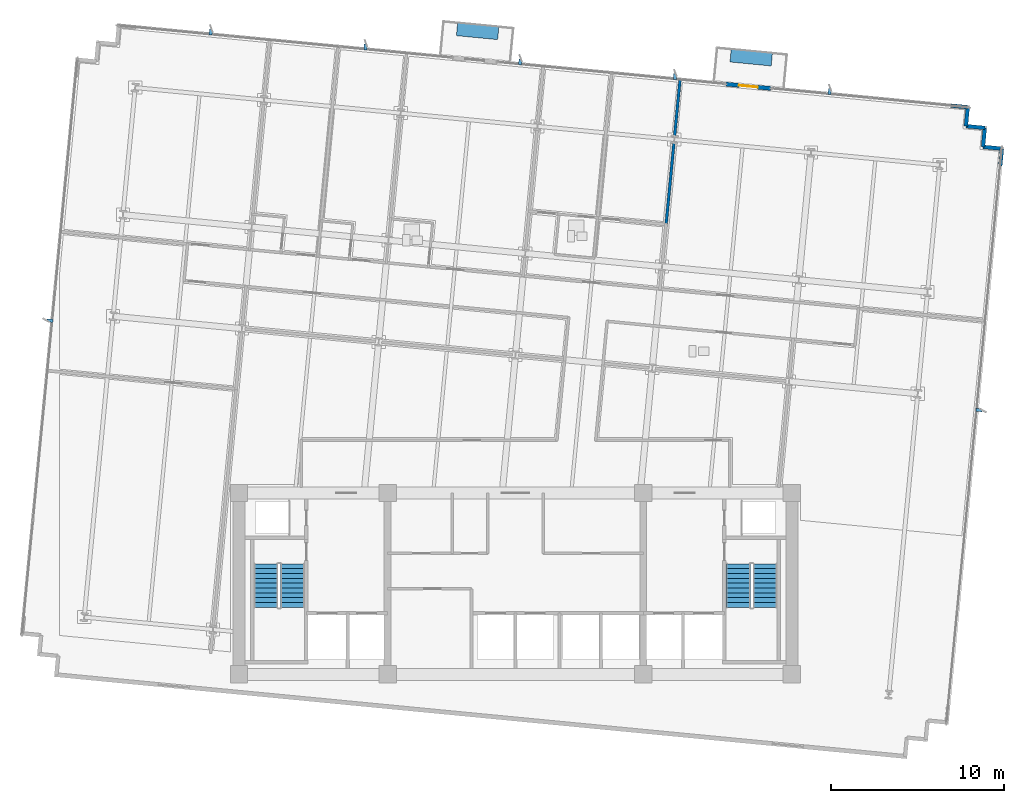
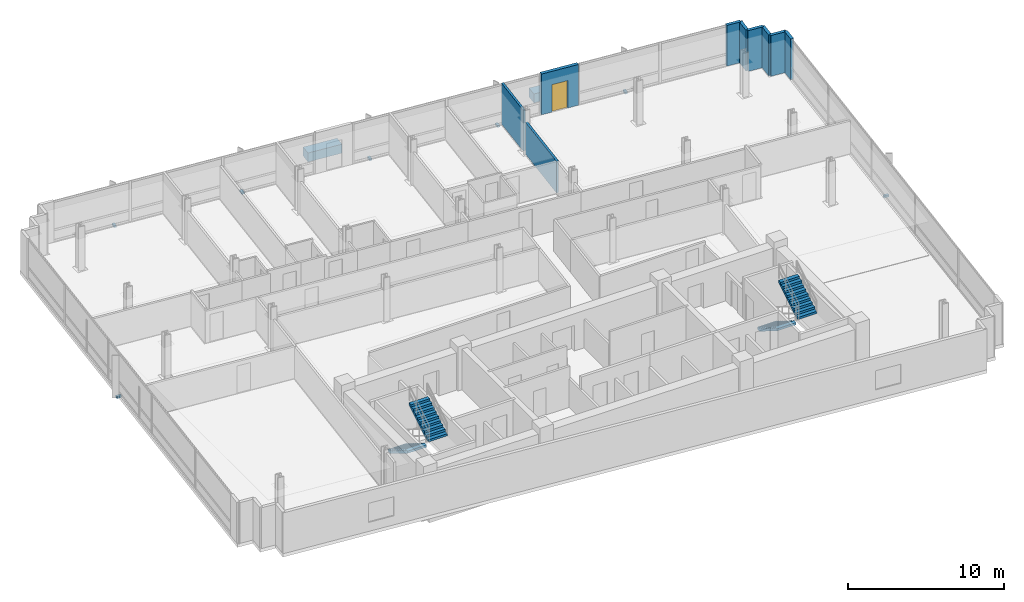
# One storey, part 13 of 17: 9 discrete accessories, 9 walls, 4 stair flights, 1 door, 1 opening, 2 elements without a shape of their own.
"""IFC4 building model written with IfcOpenShell, lengths in metres."""

from ifc_helpers import new_model, si_unit, direction, frame, frame_2d, origin, origin_2d, place, context, subcontext, project, spatial, polyline, rectangle, outline, extrude, material, layer, layer_set, type_object, element, fill, aggregate, save


model = new_model("IFC4")

# Units and contexts
model_context = context("Model", 3, precision=1e-05, world=origin(), true_north=direction((0.0, 1.0)))
body_context = subcontext(model_context, "Body", "Model", "MODEL_VIEW")
ifc_project = project(units=[si_unit("LENGTHUNIT", "METRE"), si_unit("AREAUNIT", "SQUARE_METRE"), si_unit("VOLUMEUNIT", "CUBIC_METRE"), si_unit("PLANEANGLEUNIT", "RADIAN"), si_unit("MASSUNIT", "GRAM", prefix="KILO")], contexts=[model_context])

# Site, building, storey
site_placement = place(None, origin())
site = spatial("IfcSite", under=ifc_project, at=site_placement, CompositionType="ELEMENT")
building_placement = place(site_placement, origin())
building = spatial("IfcBuilding", under=site, at=building_placement, Name="Solmavex Isthmus Hotel", CompositionType="ELEMENT")
storey_placement = place(building_placement, frame((0.0, 0.0, 153.14990234375)))
storey = spatial("IfcBuildingStorey", under=building, at=storey_placement, Name="L41", CompositionType="ELEMENT", Elevation=153.14990234375)

# Wall, opening, door
ifc_material_1 = material(Name="Precast Concrete C40/50", Category="concrete")
ifc_layer_1 = layer(ifc_material_1, 0.25)
ifc_layer_set_1 = layer_set([ifc_layer_1], Name="Precast Concrete C40/50")
wall_type_1 = type_object("IfcWallType", Name="EW-TWR-250", PredefinedType="STANDARD", material=ifc_layer_set_1)
wall_1_placement = place(storey_placement, frame((12.194580078125, 21.173828125, 0.0), z_axis=(0.0, 0.0, 1.0), x_axis=(0.995394049959, -0.095868061976, 0.0)))
wall_1 = element("IfcWall", 1, at=wall_1_placement, inside=storey, type_object=wall_type_1, Name="Exterior Balcony Door Wall L41-3", PredefinedType="STANDARD", context=body_context, shape_type="SweptSolid", body=[
    extrude(rectangle(XDim=2.60009765625, YDim=0.239990234375, at=frame_2d((1.300048828125, 0.0))), origin(), (0.0, 0.0, 1.0), 3.190185546875),
])
opening_placement = place(wall_1_placement, frame((0.75, 0.0, 0.0)))
opening = element("IfcOpeningElement", 2, at=opening_placement, cuts=wall_1, Name="Opening ED-02", PredefinedType="OPENING", context=body_context, shape_type="SweptSolid", body=[
    extrude(rectangle(XDim=1.10009765625, YDim=2.14990234375, at=frame_2d((0.550048828125, 1.074951171875))), frame((0.0, 0.1298828125, 0.0), z_axis=(0.0, -1.0, 0.0), x_axis=(1.0, 0.0, 0.0)), (0.0, 0.0, 1.0), 0.260009765625),
])
ifc_material_2 = material(Name="Aluminium alloy 6063-T6", Category="aluminium")
door_type = type_object("IfcDoorType", Name="EDR-BALC-1100", OperationType="NOTDEFINED", PredefinedType="DOOR", material=ifc_material_2)
door_placement = place(opening_placement, origin())
door = element("IfcDoor", 3, at=door_placement, inside=storey, type_object=door_type, Name="Balcony & Terrace Glazed Door L41-3", OperationType="SINGLE_SWING_LEFT", OverallHeight=2.14990234375, OverallWidth=1.10009765625, PredefinedType="DOOR", context=body_context, shape_type="SweptSolid", body=[
    extrude(rectangle(XDim=1.10009765625, YDim=2.14990234375, at=frame_2d((0.550048828125, 1.074951171875))), frame((0.0, 0.02490234375, 0.0), z_axis=(0.0, -1.0, 0.0), x_axis=(1.0, 0.0, 0.0)), (0.0, 0.0, 1.0), 0.050048828125),
])
fill(opening, door)

# Walls
wall_2_placement = place(storey_placement, frame((25.201416015625, 19.931396484375, 0.0), z_axis=(0.0, 0.0, 1.0), x_axis=(0.99541083642, -0.095693608655, 0.0)))
element("IfcWall", 4, at=wall_2_placement, inside=storey, type_object=wall_type_1, Name="Serrated Corner Facade Panel L41-14", PredefinedType="STANDARD", context=body_context, shape_type="SweptSolid", body=[
    extrude(rectangle(XDim=0.989990234375, YDim=0.219970703125, at=frame_2d((0.4951171875, 0.0))), origin(), (0.0, 0.0, 1.0), 3.190185546875),
])
wall_3_placement = place(storey_placement, frame((26.186767578125, 19.836669921875, 0.0), z_axis=(0.0, 0.0, 1.0), x_axis=(-0.095657429048, -0.995414313875, 0.0)))
element("IfcWall", 5, at=wall_3_placement, inside=storey, type_object=wall_type_1, Name="Serrated Corner Facade Panel L41-15", PredefinedType="STANDARD", context=body_context, shape_type="SweptSolid", body=[
    extrude(rectangle(XDim=1.10009765625, YDim=0.219970703125, at=frame_2d((0.550048828125, 0.0))), origin(), (0.0, 0.0, 1.0), 3.190185546875),
])
wall_4_placement = place(storey_placement, frame((26.08154296875, 18.74169921875, 0.0), z_axis=(0.0, 0.0, 1.0), x_axis=(0.995391116058, -0.095898519656, 0.0)))
element("IfcWall", 6, at=wall_4_placement, inside=storey, type_object=wall_type_1, Name="Serrated Corner Facade Panel L41-16", PredefinedType="STANDARD", context=body_context, shape_type="SweptSolid", body=[
    extrude(rectangle(XDim=1.099853515625, YDim=0.219970703125, at=frame_2d((0.5498046875, 0.0))), origin(), (0.0, 0.0, 1.0), 3.190185546875),
])
wall_5_placement = place(storey_placement, frame((27.17626953125, 18.63623046875, 0.0), z_axis=(0.0, 0.0, 1.0), x_axis=(-0.095657429048, -0.995414313875, 0.0)))
element("IfcWall", 7, at=wall_5_placement, inside=storey, type_object=wall_type_1, Name="Serrated Corner Facade Panel L41-17", PredefinedType="STANDARD", context=body_context, shape_type="SweptSolid", body=[
    extrude(rectangle(XDim=1.10009765625, YDim=0.219970703125, at=frame_2d((0.550048828125, 0.0))), origin(), (0.0, 0.0, 1.0), 3.190185546875),
])
wall_6_placement = place(storey_placement, frame((27.071044921875, 17.541259765625, 0.0), z_axis=(0.0, 0.0, 1.0), x_axis=(0.995391116058, -0.095898519656, 0.0)))
element("IfcWall", 8, at=wall_6_placement, inside=storey, type_object=wall_type_1, Name="Serrated Corner Facade Panel L41-18", PredefinedType="STANDARD", context=body_context, shape_type="SweptSolid", body=[
    extrude(rectangle(XDim=1.099853515625, YDim=0.219970703125, at=frame_2d((0.5498046875, 0.0))), origin(), (0.0, 0.0, 1.0), 3.190185546875),
])
wall_7_placement = place(storey_placement, frame((28.165771484375, 17.435791015625, 0.0), z_axis=(0.0, 0.0, 1.0), x_axis=(-0.095693608655, -0.99541083642, 0.0)))
element("IfcWall", 9, at=wall_7_placement, inside=storey, type_object=wall_type_1, Name="Serrated Corner Facade Panel L41-19", PredefinedType="STANDARD", context=body_context, shape_type="SweptSolid", body=[
    extrude(rectangle(XDim=0.989990234375, YDim=0.219970703125, at=frame_2d((0.4951171875, 0.0))), origin(), (0.0, 0.0, 1.0), 3.190185546875),
])
ifc_material_3 = material(Name="Gypsum plasterboard lining", Category="gypsum")
ifc_layer_2 = layer(ifc_material_3, 0.159912109375)
ifc_layer_set_2 = layer_set([ifc_layer_2], Name="Gypsum plasterboard lining")
wall_type_2 = type_object("IfcWallType", Name="IW-COMP-160", PredefinedType="PARTITIONING", material=ifc_layer_set_2)
wall_8_placement = place(storey_placement, frame((9.178466796875, 17.791259765625, 0.0), z_axis=(0.0, 0.0, 1.0), x_axis=(-0.095811141896, -0.995399530384, 0.0)))
element("IfcWall", 10, at=wall_8_placement, inside=storey, type_object=wall_type_2, Name="Interior Partition Wall W-L41-P053", PredefinedType="PARTITIONING", context=body_context, shape_type="SweptSolid", body=[
    extrude(rectangle(XDim=4.805908203125, YDim=0.159912109375, at=frame_2d((2.40283203125, 0.0))), origin(), (0.0, 0.0, 1.0), 2.4794921875),
])
wall_9_placement = place(storey_placement, frame((9.53271484375, 21.470458984375, 0.0), z_axis=(0.0, 0.0, 1.0), x_axis=(-0.095859866796, -0.995394839216, 0.0)))
element("IfcWall", 11, at=wall_9_placement, inside=storey, type_object=wall_type_2, Name="Interior Partition Wall W-L41-P054", PredefinedType="PARTITIONING", context=body_context, shape_type="SweptSolid", body=[
    extrude(rectangle(XDim=3.343994140625, YDim=0.159912109375, at=frame_2d((1.671875, 0.0))), origin(), (0.0, 0.0, 1.0), 3.190185546875),
])

# Stair, stair flights
ifc_material_4 = material(Name="Concrete C40/50", Category="concrete")
stair_type_1 = type_object("IfcStairType", Name="STR-ST-1", PredefinedType="HALF_TURN_STAIR", material=ifc_material_4)
stair_1_placement = place(storey_placement, origin())
stair_1 = element("IfcStair", 12, at=stair_1_placement, inside=storey, type_object=stair_type_1, Name="L41 Protected Exit Stair ST-1", PredefinedType="HALF_TURN_STAIR")
stair_flight_type_1 = type_object("IfcStairFlightType", Name="SFL-ST-1", PredefinedType="STRAIGHT", material=ifc_material_4)
stair_flight_1_placement = place(storey_placement, frame((-14.449951171875, -6.60009765625, 0.0), z_axis=(0.0, 0.0, 1.0), x_axis=(0.0, -1.0, 0.0)))
stair_flight_1 = element("IfcStairFlight", 13, at=stair_flight_1_placement, type_object=stair_flight_type_1, Name="ST-1 flight 1", NumberOfRisers=10, NumberOfTreads=9, PredefinedType="STRAIGHT", RiserHeight=0.1725, TreadLength=0.28, context=body_context, shape_type="SweptSolid", body=[
    extrude(outline(polyline([(0.0, 0.0), (0.0, 0.172607421875), (0.280029296875, 0.172607421875), (0.280029296875, 0.344970703125), (0.56005859375, 0.344970703125), (0.56005859375, 0.517578125), (0.840087890625, 0.517578125), (0.840087890625, 0.68994140625), (1.1201171875, 0.68994140625), (1.1201171875, 0.862548828125), (1.39990234375, 0.862548828125), (1.39990234375, 1.034912109375), (1.679931640625, 1.034912109375), (1.679931640625, 1.20751953125), (1.9599609375, 1.20751953125), (1.9599609375, 1.3798828125), (2.239990234375, 1.3798828125), (2.239990234375, 1.552490234375), (2.52001953125, 1.552490234375), (2.52001953125, 1.72509765625), (2.52001953125, 1.37646484375), (0.285888671875, 0.0), (0.0, 0.0)])), frame((0.0, 0.699951171875, 0.0), z_axis=(0.0, -1.0, 0.0), x_axis=(1.0, 0.0, 0.0)), (0.0, 0.0, 1.0), 1.39990234375),
])
stair_flight_2_placement = place(storey_placement, frame((-12.89990234375, -9.1201171875, 1.72509765625), z_axis=(0.0, 0.0, 1.0), x_axis=(0.0, 1.0, 0.0)))
stair_flight_2 = element("IfcStairFlight", 14, at=stair_flight_2_placement, type_object=stair_flight_type_1, Name="ST-1 flight 2", NumberOfRisers=10, NumberOfTreads=9, PredefinedType="STRAIGHT", RiserHeight=0.1725, TreadLength=0.28, context=body_context, shape_type="SweptSolid", body=[
    extrude(outline(polyline([(0.0, 0.0), (0.0, 0.172607421875), (0.280029296875, 0.172607421875), (0.280029296875, 0.344970703125), (0.56005859375, 0.344970703125), (0.56005859375, 0.517578125), (0.840087890625, 0.517578125), (0.840087890625, 0.68994140625), (1.1201171875, 0.68994140625), (1.1201171875, 0.862548828125), (1.39990234375, 0.862548828125), (1.39990234375, 1.034912109375), (1.679931640625, 1.034912109375), (1.679931640625, 1.20751953125), (1.9599609375, 1.20751953125), (1.9599609375, 1.3798828125), (2.239990234375, 1.3798828125), (2.239990234375, 1.552490234375), (2.52001953125, 1.552490234375), (2.52001953125, 1.72509765625), (2.52001953125, 1.37646484375), (0.285888671875, 0.0), (0.0, 0.0)])), frame((0.0, 0.699951171875, 0.0), z_axis=(0.0, -1.0, 0.0), x_axis=(1.0, 0.0, 0.0)), (0.0, 0.0, 1.0), 1.39990234375),
])
aggregate(stair_1, [stair_flight_1, stair_flight_2])

stair_type_2 = type_object("IfcStairType", Name="STR-ST-2", PredefinedType="HALF_TURN_STAIR", material=ifc_material_4)
stair_2_placement = place(storey_placement, origin())
stair_2 = element("IfcStair", 15, at=stair_2_placement, inside=storey, type_object=stair_type_2, Name="L41 Protected Exit Stair ST-2", PredefinedType="HALF_TURN_STAIR")
stair_flight_type_2 = type_object("IfcStairFlightType", Name="SFL-ST-2", PredefinedType="STRAIGHT", material=ifc_material_4)
stair_flight_3_placement = place(storey_placement, frame((12.89990234375, -6.60009765625, 0.0), z_axis=(0.0, 0.0, 1.0), x_axis=(0.0, -1.0, 0.0)))
stair_flight_3 = element("IfcStairFlight", 16, at=stair_flight_3_placement, type_object=stair_flight_type_2, Name="ST-2 flight 1", NumberOfRisers=10, NumberOfTreads=9, PredefinedType="STRAIGHT", RiserHeight=0.1725, TreadLength=0.28, context=body_context, shape_type="SweptSolid", body=[
    extrude(outline(polyline([(0.0, 0.0), (0.0, 0.172607421875), (0.280029296875, 0.172607421875), (0.280029296875, 0.344970703125), (0.56005859375, 0.344970703125), (0.56005859375, 0.517578125), (0.840087890625, 0.517578125), (0.840087890625, 0.68994140625), (1.1201171875, 0.68994140625), (1.1201171875, 0.862548828125), (1.39990234375, 0.862548828125), (1.39990234375, 1.034912109375), (1.679931640625, 1.034912109375), (1.679931640625, 1.20751953125), (1.9599609375, 1.20751953125), (1.9599609375, 1.3798828125), (2.239990234375, 1.3798828125), (2.239990234375, 1.552490234375), (2.52001953125, 1.552490234375), (2.52001953125, 1.72509765625), (2.52001953125, 1.37646484375), (0.285888671875, 0.0), (0.0, 0.0)])), frame((0.0, 0.699951171875, 0.0), z_axis=(0.0, -1.0, 0.0), x_axis=(1.0, 0.0, 0.0)), (0.0, 0.0, 1.0), 1.39990234375),
])
stair_flight_4_placement = place(storey_placement, frame((14.449951171875, -9.1201171875, 1.72509765625), z_axis=(0.0, 0.0, 1.0), x_axis=(0.0, 1.0, 0.0)))
stair_flight_4 = element("IfcStairFlight", 17, at=stair_flight_4_placement, type_object=stair_flight_type_2, Name="ST-2 flight 2", NumberOfRisers=10, NumberOfTreads=9, PredefinedType="STRAIGHT", RiserHeight=0.1725, TreadLength=0.28, context=body_context, shape_type="SweptSolid", body=[
    extrude(outline(polyline([(0.0, 0.0), (0.0, 0.172607421875), (0.280029296875, 0.172607421875), (0.280029296875, 0.344970703125), (0.56005859375, 0.344970703125), (0.56005859375, 0.517578125), (0.840087890625, 0.517578125), (0.840087890625, 0.68994140625), (1.1201171875, 0.68994140625), (1.1201171875, 0.862548828125), (1.39990234375, 0.862548828125), (1.39990234375, 1.034912109375), (1.679931640625, 1.034912109375), (1.679931640625, 1.20751953125), (1.9599609375, 1.20751953125), (1.9599609375, 1.3798828125), (2.239990234375, 1.3798828125), (2.239990234375, 1.552490234375), (2.52001953125, 1.552490234375), (2.52001953125, 1.72509765625), (2.52001953125, 1.37646484375), (0.285888671875, 0.0), (0.0, 0.0)])), frame((0.0, 0.699951171875, 0.0), z_axis=(0.0, -1.0, 0.0), x_axis=(1.0, 0.0, 0.0)), (0.0, 0.0, 1.0), 1.39990234375),
])
aggregate(stair_2, [stair_flight_3, stair_flight_4])

# Discrete accessories
ifc_material_5 = material(Name="Steel ASTM A572 Grade 50", Category="steel")
discrete_accessory_type_1 = type_object("IfcDiscreteAccessoryType", Name="ACC-BRK-FIN", PredefinedType="BRACKET", material=ifc_material_5)
for number, where, z_axis, x_axis, name in (
    (18, (-17.637939453125, 24.18701171875, -0.169921875), (0.0, 0.0, 1.0), (0.09584575252, 0.995396198367, 0.0), "Facade Fin Support Bracket L41-N1"),
    (19, (-8.679443359375, 23.324462890625, -0.169921875), (0.0, 0.0, 1.0), (0.09584575252, 0.995396198367, 0.0), "Facade Fin Support Bracket L41-N2"),
    (20, (0.279296875, 22.4619140625, -0.169921875), (0.0, 0.0, 1.0), (0.09584575252, 0.995396198367, 0.0), "Facade Fin Support Bracket L41-N3"),
    (21, (9.23779296875, 21.59912109375, -0.169921875), (0.0, 0.0, 1.0), (0.09584575252, 0.995396198367, 0.0), "Facade Fin Support Bracket L41-N4"),
    (22, (18.1962890625, 20.736572265625, -0.169921875), (0.0, 0.0, 1.0), (0.09584575252, 0.995396198367, 0.0), "Facade Fin Support Bracket L41-N5"),
    (23, (-26.951904296875, 7.48291015625, -0.169921875), (0.0, 0.0, 1.0), (-0.995396198367, 0.09584575252, 0.0), "Facade Fin Support Bracket L41-W1"),
    (24, (26.83935546875, 2.30322265625, -0.169921875), (0.0, 0.0, 1.0), (0.995396198367, -0.09584575252, 0.0), "Facade Fin Support Bracket L41-E1"),
):
    element("IfcDiscreteAccessory", number, at=place(storey_placement, frame(where, z_axis=z_axis, x_axis=x_axis)), inside=storey, type_object=discrete_accessory_type_1, Name=name, PredefinedType="BRACKET", context=body_context, shape_type="SweptSolid", body=[
        extrude(rectangle(XDim=0.340087890625, YDim=0.179931640625, at=origin_2d()), origin(), (0.0, 0.0, 1.0), 0.159912109375),
    ])
discrete_accessory_type_2 = type_object("IfcDiscreteAccessoryType", Name="ACC-PLN-BALC", PredefinedType="USERDEFINED", material=ifc_material_1)
for number, where, z_axis, x_axis, name in (
    (25, (-2.18994140625, 24.236572265625, 0.0), (0.0, 0.0, 1.0), (0.995396198367, -0.09584575252, 0.0), "Tree-Balcony Architectural Planter L41-B1"),
    (26, (13.648681640625, 22.711669921875, 0.0), (0.0, 0.0, 1.0), (0.995396198367, -0.09584575252, 0.0), "Tree-Balcony Architectural Planter L41-B2"),
):
    element("IfcDiscreteAccessory", number, at=place(storey_placement, frame(where, z_axis=z_axis, x_axis=x_axis)), inside=storey, type_object=discrete_accessory_type_2, Name=name, ObjectType="PLANTER", PredefinedType="USERDEFINED", context=body_context, shape_type="SweptSolid", body=[
        extrude(rectangle(XDim=2.39990234375, YDim=0.75, at=origin_2d()), origin(), (0.0, 0.0, 1.0), 0.699951171875),
    ])

save(model, "model.ifc")
